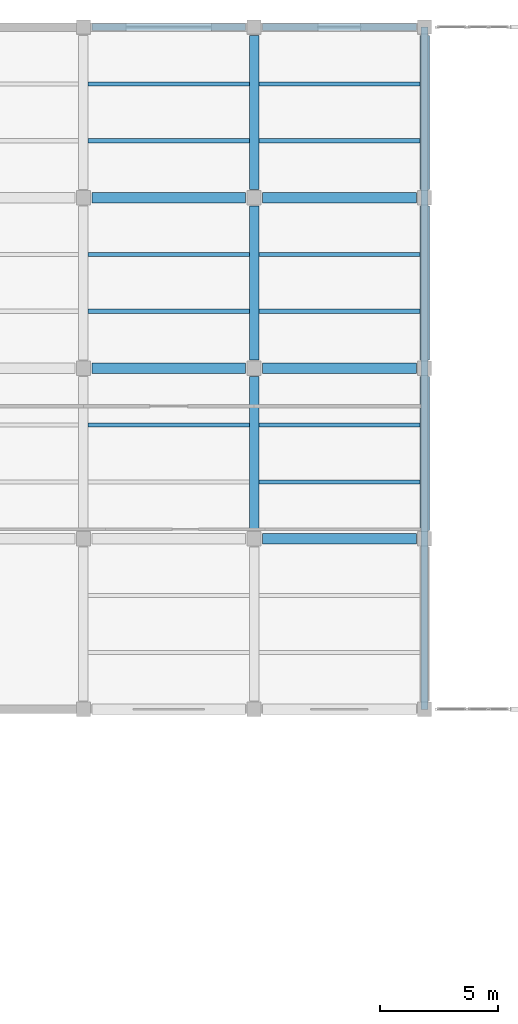
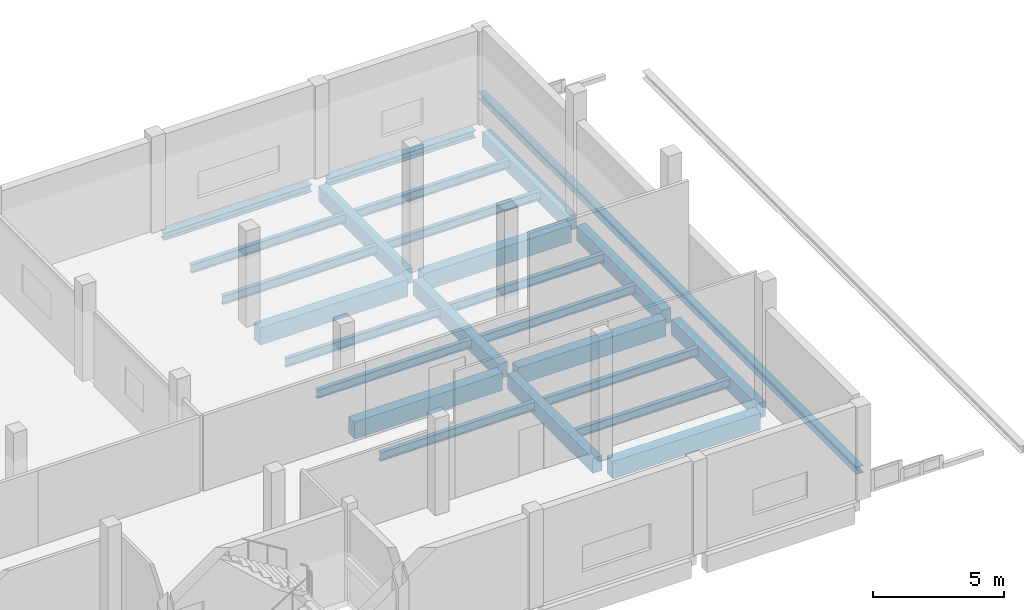
# One storey, part 43 of 105: 25 beams.
"""IFC4 building model written with IfcOpenShell, lengths in metres."""

from ifc_helpers import new_model, si_unit, direction, frame, origin, origin_2d, place, context, subcontext, project, spatial, rectangle, i_section, extrude, material, material_profile, profile_set, type_object, element, save


model = new_model("IFC4")

# Units and contexts
model_context = context("Model", 3, precision=1e-05, world=origin(), true_north=direction((0.0, 1.0)))
body_context = subcontext(model_context, "Body", "Model", "MODEL_VIEW")
ifc_project = project(units=[si_unit("LENGTHUNIT", "METRE"), si_unit("AREAUNIT", "SQUARE_METRE"), si_unit("VOLUMEUNIT", "CUBIC_METRE"), si_unit("PLANEANGLEUNIT", "RADIAN"), si_unit("MASSUNIT", "GRAM", prefix="KILO"), si_unit("THERMODYNAMICTEMPERATUREUNIT", "KELVIN"), si_unit("POWERUNIT", "WATT")], contexts=[model_context])

# Site, building, storey
site_placement = place(None, origin())
site = spatial("IfcSite", under=ifc_project, at=site_placement, CompositionType="ELEMENT")
building_placement = place(site_placement, origin())
building = spatial("IfcBuilding", under=site, at=building_placement, Name="Kaldorven Railside Theatre", CompositionType="ELEMENT")
storey_placement = place(building_placement, frame((0.0, 0.0, 9.89990234375)))
storey = spatial("IfcBuildingStorey", under=building, at=storey_placement, Name="L02", CompositionType="ELEMENT", Elevation=9.89990234375)

# Beams
ifc_material_1 = material(Name="Steel S355", Category="steel")
ifc_material_profile_1 = material_profile(ifc_material_1, i_section(OverallWidth=0.300048828125, OverallDepth=0.340087890625, WebThickness=0.011962890625, FlangeThickness=0.021484375, at=origin_2d()), Name="HEB 340")
ifc_profile_set_1 = profile_set([ifc_material_profile_1], Name="Steel S355")
beam_type_1 = type_object("IfcBeamType", Name="BM-HEB340", PredefinedType="SPANDREL", material=ifc_profile_set_1)
for number, where, z_axis, x_axis, name in (
    (1, (166.75, 141.60009765625, -0.449951171875), (1.0, 0.0, 0.0), (0.0, 1.0, 0.0), "L02 Girder BGX-L02-166-141"),
    (2, (173.949951171875, 141.60009765625, -0.449951171875), (1.0, 0.0, 0.0), (0.0, 1.0, 0.0), "L02 Girder BGX-L02-173-141"),
):
    element("IfcBeam", number, at=place(storey_placement, frame(where, z_axis=z_axis, x_axis=x_axis)), inside=storey, type_object=beam_type_1, Name=name, PredefinedType="SPANDREL", context=body_context, shape_type="SweptSolid", body=[
        extrude(i_section(OverallWidth=0.300048828125, OverallDepth=0.340087890625, WebThickness=0.011962890625, FlangeThickness=0.021484375, at=origin_2d()), origin(), (0.0, 0.0, 1.0), 6.5),
    ])
beam_1_placement = place(storey_placement, frame((180.800048828125, 112.800048828125, 1.181396484375), z_axis=(0.0, 1.0, 0.0), x_axis=(-1.0, 0.0, 0.0)))
element("IfcBeam", 3, at=beam_1_placement, inside=storey, type_object=beam_type_1, Name="Backstage Monsoon Roof Rafter RAF-163", PredefinedType="SPANDREL", context=body_context, shape_type="SweptSolid", body=[
    extrude(i_section(OverallWidth=0.300048828125, OverallDepth=0.340087890625, WebThickness=0.011962890625, FlangeThickness=0.021484375, at=origin_2d()), origin(), (0.0, 0.0, 1.0), 28.800048828125),
])
ifc_material_profile_2 = material_profile(ifc_material_1, i_section(OverallWidth=0.179931640625, OverallDepth=0.39990234375, WebThickness=0.008544921875, FlangeThickness=0.013427734375, at=origin_2d()), Name="IPE 400")
ifc_profile_set_2 = profile_set([ifc_material_profile_2], Name="Steel S355")
beam_type_2 = type_object("IfcBeamType", Name="BM-IPE400", PredefinedType="JOIST", material=ifc_profile_set_2)
beam_2_placement = place(storey_placement, frame((166.60009765625, 124.800048828125, -0.47998046875), z_axis=(1.0, 0.0, 0.0), x_axis=(0.0, 1.0, 0.0)))
element("IfcBeam", 4, at=beam_2_placement, inside=storey, type_object=beam_type_2, Name="L02 Secondary Floor Joist JG-L02-166-1248", PredefinedType="JOIST", context=body_context, shape_type="SweptSolid", body=[
    extrude(i_section(OverallWidth=0.179931640625, OverallDepth=0.39990234375, WebThickness=0.008544921875, FlangeThickness=0.013427734375, at=origin_2d()), origin(), (0.0, 0.0, 1.0), 6.7998046875),
])
for number, where, z_axis, x_axis, name in (
    (5, (173.800048828125, 122.39990234375, -0.47998046875), (1.0, 0.0, 0.0), (0.0, 1.0, 0.0), "L02 Secondary Floor Joist JG-L02-173-1224"),
    (6, (173.800048828125, 124.800048828125, -0.47998046875), (1.0, 0.0, 0.0), (0.0, 1.0, 0.0), "L02 Secondary Floor Joist JG-L02-173-1248"),
):
    element("IfcBeam", number, at=place(storey_placement, frame(where, z_axis=z_axis, x_axis=x_axis)), inside=storey, type_object=beam_type_2, Name=name, PredefinedType="JOIST", context=body_context, shape_type="SweptSolid", body=[
        extrude(i_section(OverallWidth=0.179931640625, OverallDepth=0.39990234375, WebThickness=0.008544921875, FlangeThickness=0.013427734375, at=origin_2d()), origin(), (0.0, 0.0, 1.0), 6.800048828125),
    ])
for number, where, z_axis, x_axis, name in (
    (7, (166.60009765625, 129.60009765625, -0.47998046875), (1.0, 0.0, 0.0), (0.0, 1.0, 0.0), "L02 Secondary Floor Joist JG-L02-166-1296"),
    (8, (166.60009765625, 132.0, -0.47998046875), (1.0, 0.0, 0.0), (0.0, 1.0, 0.0), "L02 Secondary Floor Joist JG-L02-166-1320"),
):
    element("IfcBeam", number, at=place(storey_placement, frame(where, z_axis=z_axis, x_axis=x_axis)), inside=storey, type_object=beam_type_2, Name=name, PredefinedType="JOIST", context=body_context, shape_type="SweptSolid", body=[
        extrude(i_section(OverallWidth=0.179931640625, OverallDepth=0.39990234375, WebThickness=0.008544921875, FlangeThickness=0.013427734375, at=origin_2d()), origin(), (0.0, 0.0, 1.0), 6.7998046875),
    ])
for number, where, z_axis, x_axis, name in (
    (9, (173.800048828125, 129.60009765625, -0.47998046875), (1.0, 0.0, 0.0), (0.0, 1.0, 0.0), "L02 Secondary Floor Joist JG-L02-173-1296"),
    (10, (173.800048828125, 132.0, -0.47998046875), (1.0, 0.0, 0.0), (0.0, 1.0, 0.0), "L02 Secondary Floor Joist JG-L02-173-1320"),
):
    element("IfcBeam", number, at=place(storey_placement, frame(where, z_axis=z_axis, x_axis=x_axis)), inside=storey, type_object=beam_type_2, Name=name, PredefinedType="JOIST", context=body_context, shape_type="SweptSolid", body=[
        extrude(i_section(OverallWidth=0.179931640625, OverallDepth=0.39990234375, WebThickness=0.008544921875, FlangeThickness=0.013427734375, at=origin_2d()), origin(), (0.0, 0.0, 1.0), 6.800048828125),
    ])
for number, where, z_axis, x_axis, name in (
    (11, (166.60009765625, 136.800048828125, -0.47998046875), (1.0, 0.0, 0.0), (0.0, 1.0, 0.0), "L02 Secondary Floor Joist JG-L02-166-1368"),
    (12, (166.60009765625, 139.199951171875, -0.47998046875), (1.0, 0.0, 0.0), (0.0, 1.0, 0.0), "L02 Secondary Floor Joist JG-L02-166-1392"),
):
    element("IfcBeam", number, at=place(storey_placement, frame(where, z_axis=z_axis, x_axis=x_axis)), inside=storey, type_object=beam_type_2, Name=name, PredefinedType="JOIST", context=body_context, shape_type="SweptSolid", body=[
        extrude(i_section(OverallWidth=0.179931640625, OverallDepth=0.39990234375, WebThickness=0.008544921875, FlangeThickness=0.013427734375, at=origin_2d()), origin(), (0.0, 0.0, 1.0), 6.7998046875),
    ])
for number, where, z_axis, x_axis, name in (
    (13, (173.800048828125, 136.800048828125, -0.47998046875), (1.0, 0.0, 0.0), (0.0, 1.0, 0.0), "L02 Secondary Floor Joist JG-L02-173-1368"),
    (14, (173.800048828125, 139.199951171875, -0.47998046875), (1.0, 0.0, 0.0), (0.0, 1.0, 0.0), "L02 Secondary Floor Joist JG-L02-173-1392"),
):
    element("IfcBeam", number, at=place(storey_placement, frame(where, z_axis=z_axis, x_axis=x_axis)), inside=storey, type_object=beam_type_2, Name=name, PredefinedType="JOIST", context=body_context, shape_type="SweptSolid", body=[
        extrude(i_section(OverallWidth=0.179931640625, OverallDepth=0.39990234375, WebThickness=0.008544921875, FlangeThickness=0.013427734375, at=origin_2d()), origin(), (0.0, 0.0, 1.0), 6.800048828125),
    ])
ifc_material_2 = material(Name="Concrete C40/50", Category="concrete")
ifc_material_profile_3 = material_profile(ifc_material_2, rectangle(XDim=0.39990234375, YDim=0.699951171875, at=origin_2d()), Name="RC 400x700")
ifc_profile_set_3 = profile_set([ifc_material_profile_3], Name="Concrete C40/50")
beam_type_3 = type_object("IfcBeamType", Name="BM-RC400x700", PredefinedType="BEAM", material=ifc_profile_set_3)
for number, where, z_axis, x_axis, name in (
    (15, (173.60009765625, 120.35009765625, -0.6298828125), (0.0, 1.0, 0.0), (-1.0, 0.0, 0.0), "L02 Girder BGY-L02-173-120-72"),
    (16, (180.800048828125, 120.35009765625, -0.6298828125), (0.0, 1.0, 0.0), (-1.0, 0.0, 0.0), "L02 Girder BGY-L02-180-120-72"),
    (17, (173.60009765625, 127.550048828125, -0.6298828125), (0.0, 1.0, 0.0), (-1.0, 0.0, 0.0), "L02 Girder BGY-L02-173-127-72"),
    (18, (180.800048828125, 127.550048828125, -0.6298828125), (0.0, 1.0, 0.0), (-1.0, 0.0, 0.0), "L02 Girder BGY-L02-180-127-72"),
    (19, (173.60009765625, 134.75, -0.6298828125), (0.0, 1.0, 0.0), (-1.0, 0.0, 0.0), "L02 Girder BGY-L02-173-134-72"),
    (20, (180.800048828125, 134.75, -0.6298828125), (0.0, 1.0, 0.0), (-1.0, 0.0, 0.0), "L02 Girder BGY-L02-180-134-72"),
):
    element("IfcBeam", number, at=place(storey_placement, frame(where, z_axis=z_axis, x_axis=x_axis)), inside=storey, type_object=beam_type_3, Name=name, PredefinedType="BEAM", context=body_context, shape_type="SweptSolid", body=[
        extrude(rectangle(XDim=0.39990234375, YDim=0.699951171875, at=origin_2d()), origin(), (0.0, 0.0, 1.0), 6.5),
    ])
ifc_material_profile_4 = material_profile(ifc_material_2, rectangle(XDim=0.449951171875, YDim=0.800048828125, at=origin_2d()), Name="RC 450x800")
ifc_profile_set_4 = profile_set([ifc_material_profile_4], Name="Concrete C40/50")
beam_type_4 = type_object("IfcBeamType", Name="BM-RC450x800", PredefinedType="BEAM", material=ifc_profile_set_4)
for number, where, z_axis, x_axis, name in (
    (21, (173.949951171875, 120.0, -0.679931640625), (1.0, 0.0, 0.0), (0.0, 1.0, 0.0), "L02 Girder BGX-L02-173-120"),
    (22, (166.75, 127.199951171875, -0.679931640625), (1.0, 0.0, 0.0), (0.0, 1.0, 0.0), "L02 Girder BGX-L02-166-127"),
    (23, (173.949951171875, 127.199951171875, -0.679931640625), (1.0, 0.0, 0.0), (0.0, 1.0, 0.0), "L02 Girder BGX-L02-173-127"),
    (24, (166.75, 134.39990234375, -0.679931640625), (1.0, 0.0, 0.0), (0.0, 1.0, 0.0), "L02 Girder BGX-L02-166-134"),
    (25, (173.949951171875, 134.39990234375, -0.679931640625), (1.0, 0.0, 0.0), (0.0, 1.0, 0.0), "L02 Girder BGX-L02-173-134"),
):
    element("IfcBeam", number, at=place(storey_placement, frame(where, z_axis=z_axis, x_axis=x_axis)), inside=storey, type_object=beam_type_4, Name=name, PredefinedType="BEAM", context=body_context, shape_type="SweptSolid", body=[
        extrude(rectangle(XDim=0.449951171875, YDim=0.800048828125, at=origin_2d()), origin(), (0.0, 0.0, 1.0), 6.5),
    ])

save(model, "model.ifc")
